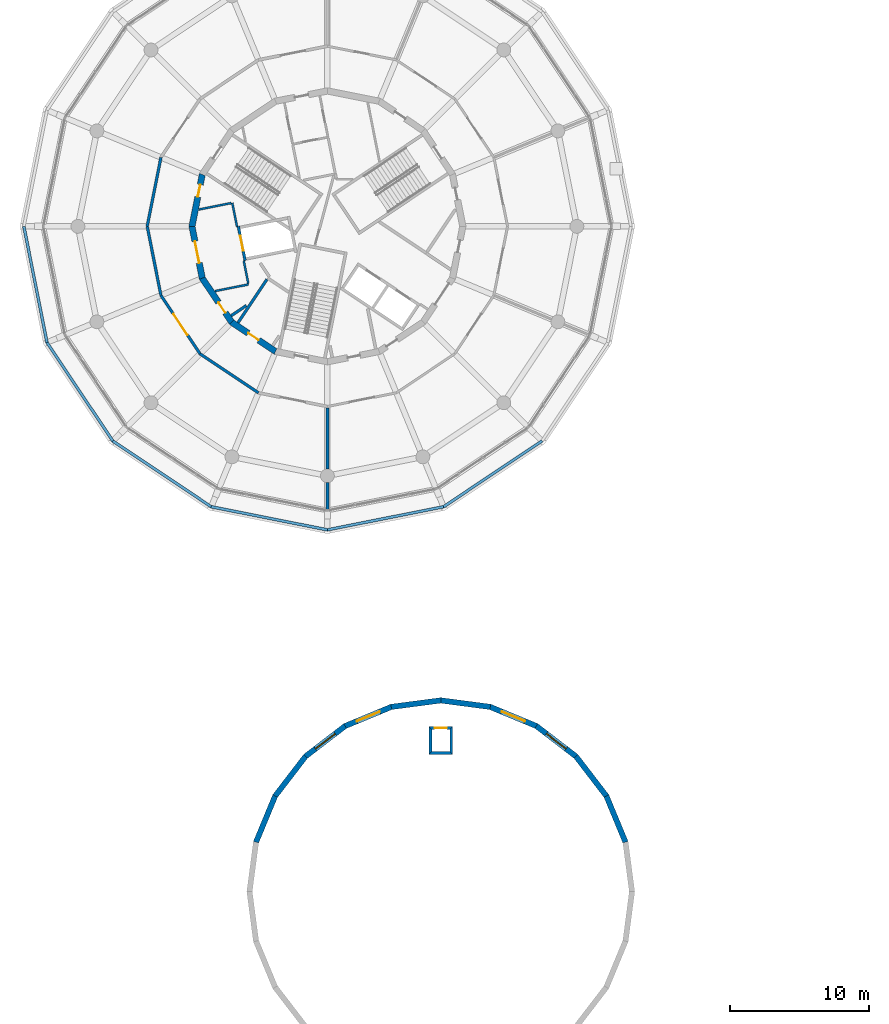
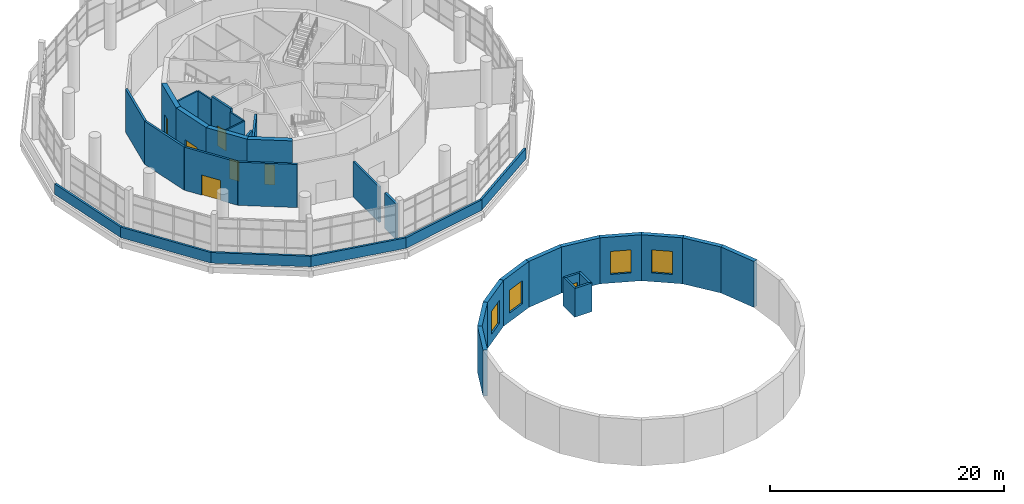
# One storey, part 26 of 40: 37 walls, 7 doors, 4 windows, 11 openings.
"""IFC4 building model written with IfcOpenShell, lengths in metres."""

from ifc_helpers import new_model, si_unit, direction, frame, frame_2d, origin, place, context, subcontext, project, spatial, polyline, rectangle, outline, extrude, material, layer, layer_set, type_object, element, fill, save


model = new_model("IFC4")

# Units and contexts
model_context = context("Model", 3, precision=1e-05, world=origin(), true_north=direction((0.0, 1.0)))
body_context = subcontext(model_context, "Body", "Model", "MODEL_VIEW")
ifc_project = project(units=[si_unit("LENGTHUNIT", "METRE"), si_unit("AREAUNIT", "SQUARE_METRE"), si_unit("VOLUMEUNIT", "CUBIC_METRE"), si_unit("PLANEANGLEUNIT", "RADIAN"), si_unit("MASSUNIT", "GRAM", prefix="KILO")], contexts=[model_context])

# Site, building, storey
site_placement = place(None, origin())
site = spatial("IfcSite", under=ifc_project, at=site_placement, CompositionType="ELEMENT")
building_placement = place(site_placement, origin())
building = spatial("IfcBuilding", under=site, at=building_placement, Name="Ceibo Conservatory and Research Tower", CompositionType="ELEMENT")
storey_placement = place(building_placement, frame((0.0, 0.0, 6.0)))
storey = spatial("IfcBuildingStorey", under=building, at=storey_placement, Name="L01", CompositionType="ELEMENT", Elevation=6.0)

# Walls
ifc_material_1 = material(Name="Masonry blockwork", Category="masonry")
ifc_layer_1 = layer(ifc_material_1, 0.199951171875)
ifc_layer_set_1 = layer_set([ifc_layer_1], Name="Masonry blockwork")
wall_type_1 = type_object("IfcWallType", Name="Compartment wall 200 EI 120", PredefinedType="SOLIDWALL", material=ifc_layer_set_1)
wall_1_placement = place(storey_placement, frame((35.0, 120.0, 0.0), z_axis=(0.0, 0.0, 1.0), x_axis=(0.195079334507, 0.980787465891, 0.0)))
element("IfcWall", 1, at=wall_1_placement, inside=storey, type_object=wall_type_1, Name="Partition 01.005", PredefinedType="SOLIDWALL", context=body_context, shape_type="SweptSolid", body=[
    extrude(rectangle(XDim=5.072265625, YDim=0.199951171875, at=frame_2d((2.5361328125, 0.0))), origin(), (0.0, 0.0, 1.0), 4.5),
])
wall_2_placement = place(storey_placement, frame((43.025146484375, 107.989501953125, 0.0), z_axis=(0.0, 0.0, 1.0), x_axis=(-0.831464853601, 0.555577354854, 0.0)))
element("IfcWall", 2, at=wall_2_placement, inside=storey, type_object=wall_type_1, Name="Partition 01.010", PredefinedType="SOLIDWALL", context=body_context, shape_type="SweptSolid", body=[
    extrude(rectangle(XDim=5.072509765625, YDim=0.199951171875, at=frame_2d((2.5361328125, 0.0))), origin(), (0.0, 0.0, 1.0), 4.5),
])

# Wall, opening, door
wall_3_placement = place(storey_placement, frame((38.8076171875, 110.8076171875, 0.0), z_axis=(0.0, 0.0, 1.0), x_axis=(-0.555577354854, 0.831464853601, 0.0)))
wall_3 = element("IfcWall", 3, at=wall_3_placement, inside=storey, type_object=wall_type_1, Name="Partition 01.011", PredefinedType="SOLIDWALL", context=body_context, shape_type="SweptSolid", body=[
    extrude(rectangle(XDim=5.072509765625, YDim=0.199951171875, at=frame_2d((2.5361328125, 0.0))), origin(), (0.0, 0.0, 1.0), 4.5),
])
opening_1_placement = place(wall_3_placement, frame((1.63623046875, 0.0, 0.0)))
opening_1 = element("IfcOpeningElement", 4, at=opening_1_placement, cuts=wall_3, Name="Opening T01-03", PredefinedType="OPENING", context=body_context, shape_type="SweptSolid", body=[
    extrude(rectangle(XDim=1.800048828125, YDim=2.10009765625, at=frame_2d((0.89990234375, 1.050048828125))), frame((0.0, 0.10986328125, 0.0), z_axis=(0.0, -1.0, 0.0), x_axis=(1.0, 0.0, 0.0)), (0.0, 0.0, 1.0), 0.219970703125),
])
ifc_material_2 = material(Name="Galvanised sheet steel DX51D", Category="steel")
door_type_1 = type_object("IfcDoorType", Name="Door fire double 1800x2100 EI 60", OperationType="DOUBLE_DOOR_SINGLE_SWING", PredefinedType="DOOR", material=ifc_material_2)
door_1_placement = place(opening_1_placement, origin())
door_1 = element("IfcDoor", 5, at=door_1_placement, inside=storey, type_object=door_type_1, Name="Door T01-03", OperationType="DOUBLE_DOOR_SINGLE_SWING", OverallHeight=2.10009765625, OverallWidth=1.800048828125, PredefinedType="DOOR", context=body_context, shape_type="SweptSolid", body=[
    extrude(rectangle(XDim=1.800048828125, YDim=2.10009765625, at=frame_2d((0.89990234375, 1.050048828125))), frame((0.0, 0.02490234375, 0.0), z_axis=(0.0, -1.0, 0.0), x_axis=(1.0, 0.0, 0.0)), (0.0, 0.0, 1.0), 0.050048828125),
])
fill(opening_1, door_1)

# Walls
wall_4_placement = place(storey_placement, frame((35.989501953125, 115.025146484375, 0.0), z_axis=(0.0, 0.0, 1.0), x_axis=(-0.195079334507, 0.980787465891, 0.0)))
element("IfcWall", 6, at=wall_4_placement, inside=storey, type_object=wall_type_1, Name="Partition 01.012", PredefinedType="SOLIDWALL", context=body_context, shape_type="SweptSolid", body=[
    extrude(rectangle(XDim=5.072265625, YDim=0.199951171875, at=frame_2d((2.5361328125, 0.0))), origin(), (0.0, 0.0, 1.0), 4.5),
])
wall_5_placement = place(storey_placement, frame((48.0, 101.510009765625, 0.0), z_axis=(0.0, 0.0, 1.0), x_axis=(0.0, -1.0, 0.0)))
element("IfcWall", 7, at=wall_5_placement, inside=storey, type_object=wall_type_1, Name="Partition 01.017", PredefinedType="SOLIDWALL", context=body_context, shape_type="SweptSolid", body=[
    extrude(rectangle(XDim=1.948486328125, YDim=0.199951171875, at=frame_2d((0.97412109375, 0.0))), origin(), (0.0, 0.0, 1.0), 3.699951171875),
])
wall_6_placement = place(storey_placement, frame((48.0, 106.903076171875, 0.0), z_axis=(0.0, 0.0, 1.0), x_axis=(0.0, -1.0, 0.0)))
element("IfcWall", 8, at=wall_6_placement, inside=storey, type_object=wall_type_1, Name="Partition 01.018", PredefinedType="SOLIDWALL", context=body_context, shape_type="SweptSolid", body=[
    extrude(rectangle(XDim=4.4130859375, YDim=0.199951171875, at=frame_2d((2.20654296875, 0.0))), origin(), (0.0, 0.0, 1.0), 3.699951171875),
])

# Wall, opening, door
ifc_material_3 = material(Name="Concrete C40/50", Category="concrete")
ifc_layer_2 = layer(ifc_material_3, 0.449951171875)
ifc_layer_set_2 = layer_set([ifc_layer_2], Name="Concrete C40/50")
wall_type_2 = type_object("IfcWallType", Name="Core wall 450 C40", PredefinedType="SHEAR", material=ifc_layer_set_2)
wall_7_placement = place(storey_placement, frame((38.97314453125, 123.739013671875, 0.0), z_axis=(0.0, 0.0, 1.0), x_axis=(-0.195069197673, -0.98078948206, 0.0)))
wall_7 = element("IfcWall", 9, at=wall_7_placement, inside=storey, type_object=wall_type_2, Name="Core wall L01 08", PredefinedType="SHEAR", context=body_context, shape_type="SweptSolid", body=[
    extrude(outline(polyline([(-0.044677734375, -0.22509765625), (3.85693359375, -0.22509765625), (3.767578125, 0.22509765625), (0.044677734375, 0.22509765625), (-0.044677734375, -0.22509765625)])), origin(), (0.0, 0.0, 1.0), 4.800048828125),
])
opening_2_placement = place(wall_7_placement, frame((0.74462890625, 0.0, 0.0)))
opening_2 = element("IfcOpeningElement", 10, at=opening_2_placement, cuts=wall_7, Name="Opening C01-13", PredefinedType="OPENING", context=body_context, shape_type="SweptSolid", body=[
    extrude(rectangle(XDim=0.89990234375, YDim=2.10009765625, at=frame_2d((0.449951171875, 1.050048828125))), frame((0.0, 0.23486328125, 0.0), z_axis=(0.0, -1.0, 0.0), x_axis=(1.0, 0.0, 0.0)), (0.0, 0.0, 1.0), 0.469970703125),
])
door_type_2 = type_object("IfcDoorType", Name="Riser door 900x2100 EI 60 (left hand)", OperationType="SINGLE_SWING_LEFT", PredefinedType="DOOR", material=ifc_material_2)
door_2_placement = place(opening_2_placement, origin())
door_2 = element("IfcDoor", 11, at=door_2_placement, inside=storey, type_object=door_type_2, Name="Store door 01", OperationType="SINGLE_SWING_LEFT", OverallHeight=2.10009765625, OverallWidth=0.89990234375, PredefinedType="DOOR", context=body_context, shape_type="SweptSolid", body=[
    extrude(rectangle(XDim=0.89990234375, YDim=2.10009765625, at=frame_2d((0.449951171875, 1.050048828125))), frame((0.0, 0.02490234375, 0.0), z_axis=(0.0, -1.0, 0.0), x_axis=(1.0, 0.0, 0.0)), (0.0, 0.0, 1.0), 0.050048828125),
])
fill(opening_2, door_2)

wall_8_placement = place(storey_placement, frame((38.2294921875, 120.0, 0.0), z_axis=(0.0, 0.0, 1.0), x_axis=(0.195069197673, -0.98078948206, 0.0)))
wall_8 = element("IfcWall", 12, at=wall_8_placement, inside=storey, type_object=wall_type_2, Name="Core wall L01 09", PredefinedType="SHEAR", context=body_context, shape_type="SweptSolid", body=[
    extrude(outline(polyline([(-0.044677734375, -0.22509765625), (3.85693359375, -0.22509765625), (3.767578125, 0.22509765625), (0.044677734375, 0.22509765625), (-0.044677734375, -0.22509765625)])), origin(), (0.0, 0.0, 1.0), 4.800048828125),
])
opening_3_placement = place(wall_8_placement, frame((1.0947265625, 0.0, 0.0)))
opening_3 = element("IfcOpeningElement", 13, at=opening_3_placement, cuts=wall_8, Name="Opening C01-06", PredefinedType="OPENING", context=body_context, shape_type="SweptSolid", body=[
    extrude(rectangle(XDim=1.60009765625, YDim=2.10009765625, at=frame_2d((0.800048828125, 1.050048828125))), frame((0.0, 0.23486328125, 0.0), z_axis=(0.0, -1.0, 0.0), x_axis=(1.0, 0.0, 0.0)), (0.0, 0.0, 1.0), 0.469970703125),
])
door_type_3 = type_object("IfcDoorType", Name="Lobby double door 1600x2100 EI 60", OperationType="DOUBLE_DOOR_SINGLE_SWING", PredefinedType="DOOR", material=ifc_material_2)
door_3_placement = place(opening_3_placement, frame((1.60009765625, 0.0, 0.0), z_axis=(0.0, 0.0, 1.0), x_axis=(-1.0, 0.0, 0.0)))
door_3 = element("IfcDoor", 14, at=door_3_placement, inside=storey, type_object=door_type_3, Name="Goods Lift Lobby door 01", OperationType="DOUBLE_DOOR_SINGLE_SWING", OverallHeight=2.10009765625, OverallWidth=1.60009765625, PredefinedType="DOOR", context=body_context, shape_type="SweptSolid", body=[
    extrude(rectangle(XDim=1.60009765625, YDim=2.10009765625, at=frame_2d((0.800048828125, 1.050048828125))), frame((0.0, 0.02490234375, 0.0), z_axis=(0.0, -1.0, 0.0), x_axis=(1.0, 0.0, 0.0)), (0.0, 0.0, 1.0), 0.050048828125),
])
fill(opening_3, door_3)

wall_9_placement = place(storey_placement, frame((38.97314453125, 116.260986328125, 0.0), z_axis=(0.0, 0.0, 1.0), x_axis=(0.555542277102, -0.83148829117, 0.0)))
wall_9 = element("IfcWall", 15, at=wall_9_placement, inside=storey, type_object=wall_type_2, Name="Core wall L01 10", PredefinedType="SHEAR", context=body_context, shape_type="SweptSolid", body=[
    extrude(outline(polyline([(-0.044677734375, -0.22509765625), (3.85693359375, -0.22509765625), (3.767578125, 0.22509765625), (0.044677734375, 0.22509765625), (-0.044677734375, -0.22509765625)])), origin(), (0.0, 0.0, 1.0), 4.800048828125),
])
opening_4_placement = place(wall_9_placement, frame((2.0947265625, 0.0, 0.0)))
opening_4 = element("IfcOpeningElement", 16, at=opening_4_placement, cuts=wall_9, Name="Opening C01-10", PredefinedType="OPENING", context=body_context, shape_type="SweptSolid", body=[
    extrude(rectangle(XDim=0.89990234375, YDim=2.10009765625, at=frame_2d((0.449951171875, 1.050048828125))), frame((0.0, 0.23486328125, 0.0), z_axis=(0.0, -1.0, 0.0), x_axis=(1.0, 0.0, 0.0)), (0.0, 0.0, 1.0), 0.469970703125),
])
door_4_placement = place(opening_4_placement, frame((0.89990234375, 0.0, 0.0), z_axis=(0.0, 0.0, 1.0), x_axis=(-1.0, 0.0, 0.0)))
door_4 = element("IfcDoor", 17, at=door_4_placement, inside=storey, type_object=door_type_2, Name="Mechanical Riser door 01", OperationType="SINGLE_SWING_LEFT", OverallHeight=2.10009765625, OverallWidth=0.89990234375, PredefinedType="DOOR", context=body_context, shape_type="SweptSolid", body=[
    extrude(rectangle(XDim=0.89990234375, YDim=2.10009765625, at=frame_2d((0.449951171875, 1.050048828125))), frame((0.0, 0.02490234375, 0.0), z_axis=(0.0, -1.0, 0.0), x_axis=(1.0, 0.0, 0.0)), (0.0, 0.0, 1.0), 0.050048828125),
])
fill(opening_4, door_4)

wall_10_placement = place(storey_placement, frame((41.091064453125, 113.091064453125, 0.0), z_axis=(0.0, 0.0, 1.0), x_axis=(0.83148829117, -0.555542277102, 0.0)))
wall_10 = element("IfcWall", 18, at=wall_10_placement, inside=storey, type_object=wall_type_2, Name="Core wall L01 11", PredefinedType="SHEAR", context=body_context, shape_type="SweptSolid", body=[
    extrude(outline(polyline([(-0.044677734375, -0.22509765625), (3.85693359375, -0.22509765625), (3.767578125, 0.22509765625), (0.044677734375, 0.22509765625), (-0.044677734375, -0.22509765625)])), origin(), (0.0, 0.0, 1.0), 4.800048828125),
])
opening_5_placement = place(wall_10_placement, frame((1.444580078125, 0.0, 0.0)))
opening_5 = element("IfcOpeningElement", 19, at=opening_5_placement, cuts=wall_10, Name="Opening C01-09", PredefinedType="OPENING", context=body_context, shape_type="SweptSolid", body=[
    extrude(rectangle(XDim=0.89990234375, YDim=2.10009765625, at=frame_2d((0.449951171875, 1.050048828125))), frame((0.0, 0.23486328125, 0.0), z_axis=(0.0, -1.0, 0.0), x_axis=(1.0, 0.0, 0.0)), (0.0, 0.0, 1.0), 0.469970703125),
])
door_type_4 = type_object("IfcDoorType", Name="Riser door 900x2100 EI 60 (right hand)", OperationType="SINGLE_SWING_RIGHT", PredefinedType="DOOR", material=ifc_material_2)
door_5_placement = place(opening_5_placement, frame((0.89990234375, 0.0, 0.0), z_axis=(0.0, 0.0, 1.0), x_axis=(-1.0, 0.0, 0.0)))
door_5 = element("IfcDoor", 20, at=door_5_placement, inside=storey, type_object=door_type_4, Name="Cleaner Store door 01", OperationType="SINGLE_SWING_RIGHT", OverallHeight=2.10009765625, OverallWidth=0.89990234375, PredefinedType="DOOR", context=body_context, shape_type="SweptSolid", body=[
    extrude(rectangle(XDim=0.89990234375, YDim=2.10009765625, at=frame_2d((0.449951171875, 1.050048828125))), frame((0.0, 0.02490234375, 0.0), z_axis=(0.0, -1.0, 0.0), x_axis=(1.0, 0.0, 0.0)), (0.0, 0.0, 1.0), 0.050048828125),
])
fill(opening_5, door_5)

# Walls
ifc_material_4 = material(Name="Plasterboard on metal studs, fire board")
ifc_layer_3 = layer(ifc_material_4, 0.14990234375)
ifc_layer_set_3 = layer_set([ifc_layer_3], Name="Plasterboard on metal studs, fire board")
wall_type_3 = type_object("IfcWallType", Name="Corridor wall 150 EI 60", PredefinedType="PARTITIONING", material=ifc_layer_set_3)
wall_11_placement = place(storey_placement, frame((39.899169921875, 115.329833984375, 0.0), z_axis=(0.0, 0.0, 1.0), x_axis=(0.980782755583, 0.195103014715, 0.0)))
element("IfcWall", 21, at=wall_11_placement, inside=storey, type_object=wall_type_3, Name="Core partition 01.P004", PredefinedType="PARTITIONING", context=body_context, shape_type="SweptSolid", body=[
    extrude(rectangle(XDim=2.456298828125, YDim=0.14990234375, at=frame_2d((1.22802734375, 0.0))), origin(), (0.0, 0.0, 1.0), 4.5),
])
wall_12_placement = place(storey_placement, frame((42.293701171875, 115.882568359375, 0.0), z_axis=(0.0, 0.0, 1.0), x_axis=(-0.195163043227, 0.980770812452, 0.0)))
element("IfcWall", 22, at=wall_12_placement, inside=storey, type_object=wall_type_3, Name="Core partition 01.P005", PredefinedType="PARTITIONING", context=body_context, shape_type="SweptSolid", body=[
    extrude(rectangle(XDim=1.675048828125, YDim=0.14990234375, at=frame_2d((0.83740234375, 0.0))), origin(), (0.0, 0.0, 1.0), 4.5),
])
wall_13_placement = place(storey_placement, frame((41.47900390625, 119.977294921875, 0.0), z_axis=(0.0, 0.0, 1.0), x_axis=(-0.19501613536, 0.98080003413, 0.0)))
element("IfcWall", 23, at=wall_13_placement, inside=storey, type_object=wall_type_3, Name="Core partition 01.P006", PredefinedType="PARTITIONING", context=body_context, shape_type="SweptSolid", body=[
    extrude(rectangle(XDim=1.750244140625, YDim=0.14990234375, at=frame_2d((0.875, 0.0))), origin(), (0.0, 0.0, 1.0), 4.5),
])
wall_14_placement = place(storey_placement, frame((41.064208984375, 121.67919921875, 0.0), z_axis=(0.0, 0.0, 1.0), x_axis=(-0.980781272394, -0.195110470559, 0.0)))
element("IfcWall", 24, at=wall_14_placement, inside=storey, type_object=wall_type_3, Name="Core partition 01.P007", PredefinedType="PARTITIONING", context=body_context, shape_type="SweptSolid", body=[
    extrude(rectangle(XDim=2.381103515625, YDim=0.14990234375, at=frame_2d((1.1904296875, 0.0))), origin(), (0.0, 0.0, 1.0), 4.5),
])
ifc_layer_4 = layer(ifc_material_1, 0.199951171875)
ifc_layer_set_4 = layer_set([ifc_layer_4], Name="Masonry blockwork")
wall_type_4 = type_object("IfcWallType", Name="Lift shaft wall 200 EI 120", PredefinedType="SOLIDWALL", material=ifc_layer_set_4)
wall_15_placement = place(storey_placement, frame((55.43017578125, 82.0, 0.0), z_axis=(0.0, 0.0, 1.0), x_axis=(1.0, 0.0, 0.0)))
element("IfcWall", 25, at=wall_15_placement, inside=storey, type_object=wall_type_4, Name="Lift shaft wall 1 upper", PredefinedType="SOLIDWALL", context=body_context, shape_type="SweptSolid", body=[
    extrude(outline(polyline([(-0.099853515625, -0.10009765625), (1.599853515625, -0.10009765625), (1.400146484375, 0.10009765625), (0.099853515625, 0.10009765625), (-0.099853515625, -0.10009765625)])), origin(), (0.0, 0.0, 1.0), 3.0),
])
wall_16_placement = place(storey_placement, frame((56.93017578125, 82.0, 0.0), z_axis=(0.0, 0.0, 1.0), x_axis=(0.0, 1.0, 0.0)))
element("IfcWall", 26, at=wall_16_placement, inside=storey, type_object=wall_type_4, Name="Lift shaft wall 2 upper", PredefinedType="SOLIDWALL", context=body_context, shape_type="SweptSolid", body=[
    extrude(outline(polyline([(-0.099853515625, -0.10009765625), (1.89990234375, -0.10009765625), (1.7001953125, 0.10009765625), (0.099853515625, 0.10009765625), (-0.099853515625, -0.10009765625)])), origin(), (0.0, 0.0, 1.0), 3.0),
])

# Wall, opening, door
wall_17_placement = place(storey_placement, frame((56.93017578125, 83.800048828125, 0.0), z_axis=(0.0, 0.0, 1.0), x_axis=(-1.0, 0.0, 0.0)))
wall_17 = element("IfcWall", 27, at=wall_17_placement, inside=storey, type_object=wall_type_4, Name="Lift shaft wall 3 upper", PredefinedType="SOLIDWALL", context=body_context, shape_type="SweptSolid", body=[
    extrude(outline(polyline([(-0.099853515625, -0.10009765625), (1.599853515625, -0.10009765625), (1.400146484375, 0.10009765625), (0.099853515625, 0.10009765625), (-0.099853515625, -0.10009765625)])), origin(), (0.0, 0.0, 1.0), 3.0),
])
opening_6_placement = place(wall_17_placement, frame((0.300048828125, 0.0, 0.0)))
opening_6 = element("IfcOpeningElement", 28, at=opening_6_placement, cuts=wall_17, Name="Opening AUD-LDU", PredefinedType="OPENING", context=body_context, shape_type="SweptSolid", body=[
    extrude(rectangle(XDim=0.89990234375, YDim=2.10009765625, at=frame_2d((0.449951171875, 1.050048828125))), frame((0.0, 0.10986328125, 0.0), z_axis=(0.0, -1.0, 0.0), x_axis=(1.0, 0.0, 0.0)), (0.0, 0.0, 1.0), 0.219970703125),
])
ifc_material_5 = material(Name="Stainless steel AISI 316", Category="steel")
door_type_5 = type_object("IfcDoorType", Name="Lift landing door 900x2100 EI 120", OperationType="DOUBLE_DOOR_SLIDING", PredefinedType="DOOR", material=ifc_material_5)
door_6_placement = place(opening_6_placement, origin())
door_6 = element("IfcDoor", 29, at=door_6_placement, inside=storey, type_object=door_type_5, Name="Lift landing door U", OperationType="DOUBLE_DOOR_SLIDING", OverallHeight=2.10009765625, OverallWidth=0.89990234375, PredefinedType="DOOR", context=body_context, shape_type="SweptSolid", body=[
    extrude(rectangle(XDim=0.89990234375, YDim=2.10009765625, at=frame_2d((0.449951171875, 1.050048828125))), frame((0.0, 0.02490234375, 0.0), z_axis=(0.0, -1.0, 0.0), x_axis=(1.0, 0.0, 0.0)), (0.0, 0.0, 1.0), 0.050048828125),
])
fill(opening_6, door_6)

# Walls
wall_18_placement = place(storey_placement, frame((55.43017578125, 83.800048828125, 0.0), z_axis=(0.0, 0.0, 1.0), x_axis=(0.0, -1.0, 0.0)))
element("IfcWall", 30, at=wall_18_placement, inside=storey, type_object=wall_type_4, Name="Lift shaft wall 4 upper", PredefinedType="SOLIDWALL", context=body_context, shape_type="SweptSolid", body=[
    extrude(outline(polyline([(-0.099853515625, -0.10009765625), (1.89990234375, -0.10009765625), (1.7001953125, 0.10009765625), (0.099853515625, 0.10009765625), (-0.099853515625, -0.10009765625)])), origin(), (0.0, 0.0, 1.0), 3.0),
])
ifc_material_6 = material(Name="Ceramic mosaic tessera")
ifc_layer_5 = layer(ifc_material_6, 0.010009765625, Name="Ceramic mosaic")
ifc_material_7 = material(Name="Concrete C30/37", Category="concrete")
ifc_layer_6 = layer(ifc_material_7, 0.18994140625, Name="Reinforced concrete leaf")
ifc_layer_set_5 = layer_set([ifc_layer_5, ifc_layer_6], Name="Concrete C30/37")
wall_type_5 = type_object("IfcWallType", Name="Parapet wall 200", PredefinedType="PARAPET", material=ifc_layer_set_5)
for number, where, z_axis, x_axis, name in (
    (31, (26.10205078125, 120.0, 0.0), (0.0, 0.0, 1.0), (0.19507198848, -0.980788926992, 0.0), "Parapet L01 9"),
    (32, (27.768798828125, 111.619873046875, 0.0), (0.0, 0.0, 1.0), (0.555563710407, -0.831473970536, 0.0), "Parapet L01 10"),
    (33, (32.515625, 104.515625, 0.0), (0.0, 0.0, 1.0), (0.831473970536, -0.555563710407, 0.0), "Parapet L01 11"),
    (34, (39.619873046875, 99.768798828125, 0.0), (0.0, 0.0, 1.0), (0.980788926992, -0.19507198848, 0.0), "Parapet L01 12"),
    (35, (48.0, 98.10205078125, 0.0), (0.0, 0.0, 1.0), (0.980788926992, 0.19507198848, 0.0), "Parapet L01 13"),
    (36, (56.380126953125, 99.768798828125, 0.0), (0.0, 0.0, 1.0), (0.831473970536, 0.555563710407, 0.0), "Parapet L01 14"),
):
    element("IfcWall", number, at=place(storey_placement, frame(where, z_axis=z_axis, x_axis=x_axis)), inside=storey, type_object=wall_type_5, Name=name, PredefinedType="PARAPET", context=body_context, shape_type="SweptSolid", body=[
        extrude(outline(polyline([(-0.019775390625, -0.10009765625), (8.56396484375, -0.10009765625), (8.5244140625, 0.10009765625), (0.019775390625, 0.10009765625), (-0.019775390625, -0.10009765625)])), origin(), (0.0, 0.0, 1.0), 1.10009765625),
    ])
ifc_layer_7 = layer(ifc_material_3, 0.39990234375)
ifc_layer_set_6 = layer_set([ifc_layer_7], Name="Concrete C40/50")
wall_type_6 = type_object("IfcWallType", Name="RC drum wall 400 C40", PredefinedType="SOLIDWALL", material=ifc_layer_set_6)
wall_19_placement = place(storey_placement, frame((69.50830078125, 75.5712890625, 0.0), z_axis=(0.0, 0.0, 1.0), x_axis=(-0.382732890199, 0.923859044855, 0.0)))
element("IfcWall", 37, at=wall_19_placement, inside=storey, type_object=wall_type_6, Name="Auditorium wall L01 02", PredefinedType="SOLIDWALL", context=body_context, shape_type="SweptSolid", body=[
    extrude(outline(polyline([(-0.0263671875, -0.199951171875), (3.62841796875, -0.199951171875), (3.57568359375, 0.199951171875), (0.0263671875, 0.199951171875), (-0.0263671875, -0.199951171875)])), origin(), (0.0, 0.0, 1.0), 4.800048828125),
])
wall_20_placement = place(storey_placement, frame((68.129638671875, 78.899169921875, 0.0), z_axis=(0.0, 0.0, 1.0), x_axis=(-0.608737436008, 0.793371750192, 0.0)))
element("IfcWall", 38, at=wall_20_placement, inside=storey, type_object=wall_type_6, Name="Auditorium wall L01 03", PredefinedType="SOLIDWALL", context=body_context, shape_type="SweptSolid", body=[
    extrude(outline(polyline([(-0.0263671875, -0.199951171875), (3.628173828125, -0.199951171875), (3.575439453125, 0.199951171875), (0.0263671875, 0.199951171875), (-0.0263671875, -0.199951171875)])), origin(), (0.0, 0.0, 1.0), 4.800048828125),
])

# Wall, opening, window
wall_21_placement = place(storey_placement, frame((65.93701171875, 81.7568359375, 0.0), z_axis=(0.0, 0.0, 1.0), x_axis=(-0.793364132735, 0.608747363764, 0.0)))
wall_21 = element("IfcWall", 39, at=wall_21_placement, inside=storey, type_object=wall_type_6, Name="Auditorium wall L01 04", PredefinedType="SOLIDWALL", context=body_context, shape_type="SweptSolid", body=[
    extrude(outline(polyline([(-0.0263671875, -0.199951171875), (3.628662109375, -0.199951171875), (3.575927734375, 0.199951171875), (0.0263671875, 0.199951171875), (-0.0263671875, -0.199951171875)])), origin(), (0.0, 0.0, 1.0), 4.800048828125),
])
opening_7_placement = place(wall_21_placement, frame((0.90087890625, 0.0, 0.89990234375)))
opening_7 = element("IfcOpeningElement", 40, at=opening_7_placement, cuts=wall_21, Name="Opening GW1", PredefinedType="OPENING", context=body_context, shape_type="SweptSolid", body=[
    extrude(rectangle(XDim=1.800048828125, YDim=2.39990234375, at=frame_2d((0.89990234375, 1.199951171875))), frame((0.0, 0.2099609375, 0.0), z_axis=(0.0, -1.0, 0.0), x_axis=(1.0, 0.0, 0.0)), (0.0, 0.0, 1.0), 0.419921875),
])
ifc_material_8 = material(Name="Aluminium frame with double glazing", Category="aluminium")
window_type = type_object("IfcWindowType", Name="Gallery window GW1 1800 x 2400", PartitioningType="DOUBLE_PANEL_VERTICAL", PredefinedType="WINDOW", material=ifc_material_8)
window_1_placement = place(opening_7_placement, origin())
window_1 = element("IfcWindow", 41, at=window_1_placement, inside=storey, type_object=window_type, Name="AUD.WIN.L01.F04", OverallHeight=2.39990234375, OverallWidth=1.800048828125, PartitioningType="DOUBLE_PANEL_VERTICAL", PredefinedType="WINDOW", context=body_context, shape_type="SweptSolid", body=[
    extrude(rectangle(XDim=1.800048828125, YDim=2.39990234375, at=frame_2d((0.89990234375, 1.199951171875))), frame((0.0, 0.030029296875, 0.0), z_axis=(0.0, -1.0, 0.0), x_axis=(1.0, 0.0, 0.0)), (0.0, 0.0, 1.0), 0.06005859375),
])
fill(opening_7, window_1)

wall_22_placement = place(storey_placement, frame((63.0791015625, 83.94970703125, 0.0), z_axis=(0.0, 0.0, 1.0), x_axis=(-0.923883008779, 0.382675039804, 0.0)))
wall_22 = element("IfcWall", 42, at=wall_22_placement, inside=storey, type_object=wall_type_6, Name="Auditorium wall L01 05", PredefinedType="SOLIDWALL", context=body_context, shape_type="SweptSolid", body=[
    extrude(outline(polyline([(-0.0263671875, -0.199951171875), (3.62841796875, -0.199951171875), (3.57568359375, 0.199951171875), (0.0263671875, 0.199951171875), (-0.0263671875, -0.199951171875)])), origin(), (0.0, 0.0, 1.0), 4.800048828125),
])
opening_8_placement = place(wall_22_placement, frame((0.90087890625, 0.0, 0.89990234375)))
opening_8 = element("IfcOpeningElement", 43, at=opening_8_placement, cuts=wall_22, Name="Opening GW1", PredefinedType="OPENING", context=body_context, shape_type="SweptSolid", body=[
    extrude(rectangle(XDim=1.800048828125, YDim=2.39990234375, at=frame_2d((0.89990234375, 1.199951171875))), frame((0.0, 0.2099609375, 0.0), z_axis=(0.0, -1.0, 0.0), x_axis=(1.0, 0.0, 0.0)), (0.0, 0.0, 1.0), 0.419921875),
])
window_2_placement = place(opening_8_placement, origin())
window_2 = element("IfcWindow", 44, at=window_2_placement, inside=storey, type_object=window_type, Name="AUD.WIN.L01.F05", OverallHeight=2.39990234375, OverallWidth=1.800048828125, PartitioningType="DOUBLE_PANEL_VERTICAL", PredefinedType="WINDOW", context=body_context, shape_type="SweptSolid", body=[
    extrude(rectangle(XDim=1.800048828125, YDim=2.39990234375, at=frame_2d((0.89990234375, 1.199951171875))), frame((0.0, 0.030029296875, 0.0), z_axis=(0.0, -1.0, 0.0), x_axis=(1.0, 0.0, 0.0)), (0.0, 0.0, 1.0), 0.06005859375),
])
fill(opening_8, window_2)

# Walls
wall_23_placement = place(storey_placement, frame((59.751220703125, 85.328125, 0.0), z_axis=(0.0, 0.0, 1.0), x_axis=(-0.99144206373, 0.130547440674, 0.0)))
element("IfcWall", 45, at=wall_23_placement, inside=storey, type_object=wall_type_6, Name="Auditorium wall L01 06", PredefinedType="SOLIDWALL", context=body_context, shape_type="SweptSolid", body=[
    extrude(outline(polyline([(-0.0263671875, -0.199951171875), (3.628173828125, -0.199951171875), (3.575439453125, 0.199951171875), (0.0263671875, 0.199951171875), (-0.0263671875, -0.199951171875)])), origin(), (0.0, 0.0, 1.0), 4.800048828125),
])
wall_24_placement = place(storey_placement, frame((56.18017578125, 85.79833984375, 0.0), z_axis=(0.0, 0.0, 1.0), x_axis=(-0.991443218791, -0.130538668266, 0.0)))
element("IfcWall", 46, at=wall_24_placement, inside=storey, type_object=wall_type_6, Name="Auditorium wall L01 07", PredefinedType="SOLIDWALL", context=body_context, shape_type="SweptSolid", body=[
    extrude(outline(polyline([(-0.0263671875, -0.199951171875), (3.62841796875, -0.199951171875), (3.57568359375, 0.199951171875), (0.0263671875, 0.199951171875), (-0.0263671875, -0.199951171875)])), origin(), (0.0, 0.0, 1.0), 4.800048828125),
])

# Wall, opening, window
wall_25_placement = place(storey_placement, frame((52.60888671875, 85.328125, 0.0), z_axis=(0.0, 0.0, 1.0), x_axis=(-0.923883008779, -0.382675039804, 0.0)))
wall_25 = element("IfcWall", 47, at=wall_25_placement, inside=storey, type_object=wall_type_6, Name="Auditorium wall L01 08", PredefinedType="SOLIDWALL", context=body_context, shape_type="SweptSolid", body=[
    extrude(outline(polyline([(-0.0263671875, -0.199951171875), (3.62841796875, -0.199951171875), (3.57568359375, 0.199951171875), (0.0263671875, 0.199951171875), (-0.0263671875, -0.199951171875)])), origin(), (0.0, 0.0, 1.0), 4.800048828125),
])
opening_9_placement = place(wall_25_placement, frame((0.90087890625, 0.0, 0.89990234375)))
opening_9 = element("IfcOpeningElement", 48, at=opening_9_placement, cuts=wall_25, Name="Opening GW1", PredefinedType="OPENING", context=body_context, shape_type="SweptSolid", body=[
    extrude(rectangle(XDim=1.800048828125, YDim=2.39990234375, at=frame_2d((0.89990234375, 1.199951171875))), frame((0.0, 0.2099609375, 0.0), z_axis=(0.0, -1.0, 0.0), x_axis=(1.0, 0.0, 0.0)), (0.0, 0.0, 1.0), 0.419921875),
])
window_3_placement = place(opening_9_placement, origin())
window_3 = element("IfcWindow", 49, at=window_3_placement, inside=storey, type_object=window_type, Name="AUD.WIN.L01.F08", OverallHeight=2.39990234375, OverallWidth=1.800048828125, PartitioningType="DOUBLE_PANEL_VERTICAL", PredefinedType="WINDOW", context=body_context, shape_type="SweptSolid", body=[
    extrude(rectangle(XDim=1.800048828125, YDim=2.39990234375, at=frame_2d((0.89990234375, 1.199951171875))), frame((0.0, 0.030029296875, 0.0), z_axis=(0.0, -1.0, 0.0), x_axis=(1.0, 0.0, 0.0)), (0.0, 0.0, 1.0), 0.06005859375),
])
fill(opening_9, window_3)

wall_26_placement = place(storey_placement, frame((49.281005859375, 83.94970703125, 0.0), z_axis=(0.0, 0.0, 1.0), x_axis=(-0.793339015417, -0.608780097093, 0.0)))
wall_26 = element("IfcWall", 50, at=wall_26_placement, inside=storey, type_object=wall_type_6, Name="Auditorium wall L01 09", PredefinedType="SOLIDWALL", context=body_context, shape_type="SweptSolid", body=[
    extrude(outline(polyline([(-0.0263671875, -0.199951171875), (3.62841796875, -0.199951171875), (3.57568359375, 0.199951171875), (0.0263671875, 0.199951171875), (-0.0263671875, -0.199951171875)])), origin(), (0.0, 0.0, 1.0), 4.800048828125),
])
opening_10_placement = place(wall_26_placement, frame((0.90087890625, 0.0, 0.89990234375)))
opening_10 = element("IfcOpeningElement", 51, at=opening_10_placement, cuts=wall_26, Name="Opening GW1", PredefinedType="OPENING", context=body_context, shape_type="SweptSolid", body=[
    extrude(rectangle(XDim=1.800048828125, YDim=2.39990234375, at=frame_2d((0.89990234375, 1.199951171875))), frame((0.0, 0.2099609375, 0.0), z_axis=(0.0, -1.0, 0.0), x_axis=(1.0, 0.0, 0.0)), (0.0, 0.0, 1.0), 0.419921875),
])
window_4_placement = place(opening_10_placement, origin())
window_4 = element("IfcWindow", 52, at=window_4_placement, inside=storey, type_object=window_type, Name="AUD.WIN.L01.F09", OverallHeight=2.39990234375, OverallWidth=1.800048828125, PartitioningType="DOUBLE_PANEL_VERTICAL", PredefinedType="WINDOW", context=body_context, shape_type="SweptSolid", body=[
    extrude(rectangle(XDim=1.800048828125, YDim=2.39990234375, at=frame_2d((0.89990234375, 1.199951171875))), frame((0.0, 0.030029296875, 0.0), z_axis=(0.0, -1.0, 0.0), x_axis=(1.0, 0.0, 0.0)), (0.0, 0.0, 1.0), 0.06005859375),
])
fill(opening_10, window_4)

# Walls
for number, where, z_axis, x_axis, name in (
    (53, (46.42333984375, 81.7568359375, 0.0), (0.0, 0.0, 1.0), (-0.608780097093, -0.793339015417, 0.0), "Auditorium wall L01 10"),
    (54, (44.23046875, 78.899169921875, 0.0), (0.0, 0.0, 1.0), (-0.382675039804, -0.923883008779, 0.0), "Auditorium wall L01 11"),
):
    element("IfcWall", number, at=place(storey_placement, frame(where, z_axis=z_axis, x_axis=x_axis)), inside=storey, type_object=wall_type_6, Name=name, PredefinedType="SOLIDWALL", context=body_context, shape_type="SweptSolid", body=[
        extrude(outline(polyline([(-0.0263671875, -0.199951171875), (3.62841796875, -0.199951171875), (3.57568359375, 0.199951171875), (0.0263671875, 0.199951171875), (-0.0263671875, -0.199951171875)])), origin(), (0.0, 0.0, 1.0), 4.800048828125),
    ])
ifc_layer_8 = layer(ifc_material_1, 0.199951171875)
ifc_layer_set_7 = layer_set([ifc_layer_8], Name="Masonry blockwork")
wall_type_7 = type_object("IfcWallType", Name="Riser wall 200 EI 120", PredefinedType="SOLIDWALL", material=ifc_layer_set_7)
wall_27_placement = place(storey_placement, frame((41.553955078125, 113.052490234375, 0.0), z_axis=(0.0, 0.0, 1.0), x_axis=(0.555524492638, 0.831500173228, 0.0)))
element("IfcWall", 55, at=wall_27_placement, inside=storey, type_object=wall_type_7, Name="Core partition 01.P020", PredefinedType="SOLIDWALL", context=body_context, shape_type="SweptSolid", body=[
    extrude(rectangle(XDim=3.758056640625, YDim=0.199951171875, at=frame_2d((1.87890625, 0.0))), origin(), (0.0, 0.0, 1.0), 4.5),
])
wall_28_placement = place(storey_placement, frame((42.151611328125, 114.288330078125, 0.0), z_axis=(0.0, 0.0, 1.0), x_axis=(-0.83148157585, -0.555552327889, 0.0)))
element("IfcWall", 56, at=wall_28_placement, inside=storey, type_object=wall_type_7, Name="Core partition 01.P022", PredefinedType="SOLIDWALL", context=body_context, shape_type="SweptSolid", body=[
    extrude(rectangle(XDim=1.32177734375, YDim=0.199951171875, at=frame_2d((0.660888671875, 0.0))), origin(), (0.0, 0.0, 1.0), 4.5),
])

# Wall, opening, door
ifc_layer_9 = layer(ifc_material_3, 0.199951171875)
ifc_layer_set_8 = layer_set([ifc_layer_9], Name="Concrete C40/50")
wall_type_8 = type_object("IfcWallType", Name="Shaft wall 200 C40", PredefinedType="SHEAR", material=ifc_layer_set_8)
wall_29_placement = place(storey_placement, frame((41.5771484375, 119.996826171875, 0.0), z_axis=(0.0, 0.0, 1.0), x_axis=(0.195120673769, -0.980779242576, 0.0)))
wall_29 = element("IfcWall", 57, at=wall_29_placement, inside=storey, type_object=wall_type_8, Name="Shaft wall LG1.F L01", PredefinedType="SHEAR", context=body_context, shape_type="SweptSolid", body=[
    extrude(rectangle(XDim=2.5, YDim=0.199951171875, at=frame_2d((1.25, 0.0))), origin(), (0.0, 0.0, 1.0), 4.800048828125),
])
opening_11_placement = place(wall_29_placement, frame((0.699951171875, 0.0, 0.0)))
opening_11 = element("IfcOpeningElement", 58, at=opening_11_placement, cuts=wall_29, Name="Opening LD-LG1-01", PredefinedType="OPENING", context=body_context, shape_type="SweptSolid", body=[
    extrude(rectangle(XDim=1.10009765625, YDim=2.10009765625, at=frame_2d((0.550048828125, 1.050048828125))), frame((0.0, 0.10986328125, 0.0), z_axis=(0.0, -1.0, 0.0), x_axis=(1.0, 0.0, 0.0)), (0.0, 0.0, 1.0), 0.219970703125),
])
door_type_6 = type_object("IfcDoorType", Name="Lift landing door 1100x2100 EI 120", OperationType="SLIDING_TO_LEFT", PredefinedType="DOOR", material=ifc_material_5)
door_7_placement = place(opening_11_placement, origin())
door_7 = element("IfcDoor", 59, at=door_7_placement, inside=storey, type_object=door_type_6, Name="Lift landing door LG1 01", OperationType="SLIDING_TO_LEFT", OverallHeight=2.10009765625, OverallWidth=1.10009765625, PredefinedType="DOOR", context=body_context, shape_type="SweptSolid", body=[
    extrude(rectangle(XDim=1.10009765625, YDim=2.10009765625, at=frame_2d((0.550048828125, 1.050048828125))), frame((0.0, 0.02490234375, 0.0), z_axis=(0.0, -1.0, 0.0), x_axis=(1.0, 0.0, 0.0)), (0.0, 0.0, 1.0), 0.050048828125),
])
fill(opening_11, door_7)

save(model, "model.ifc")
